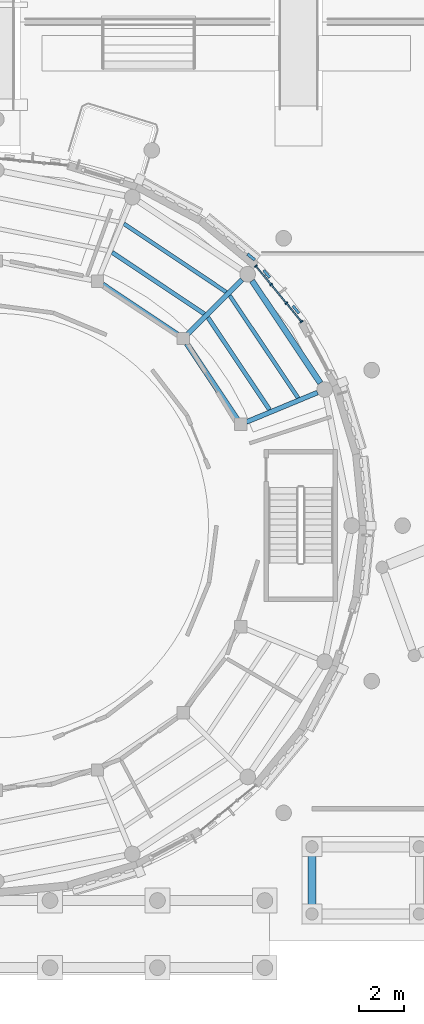
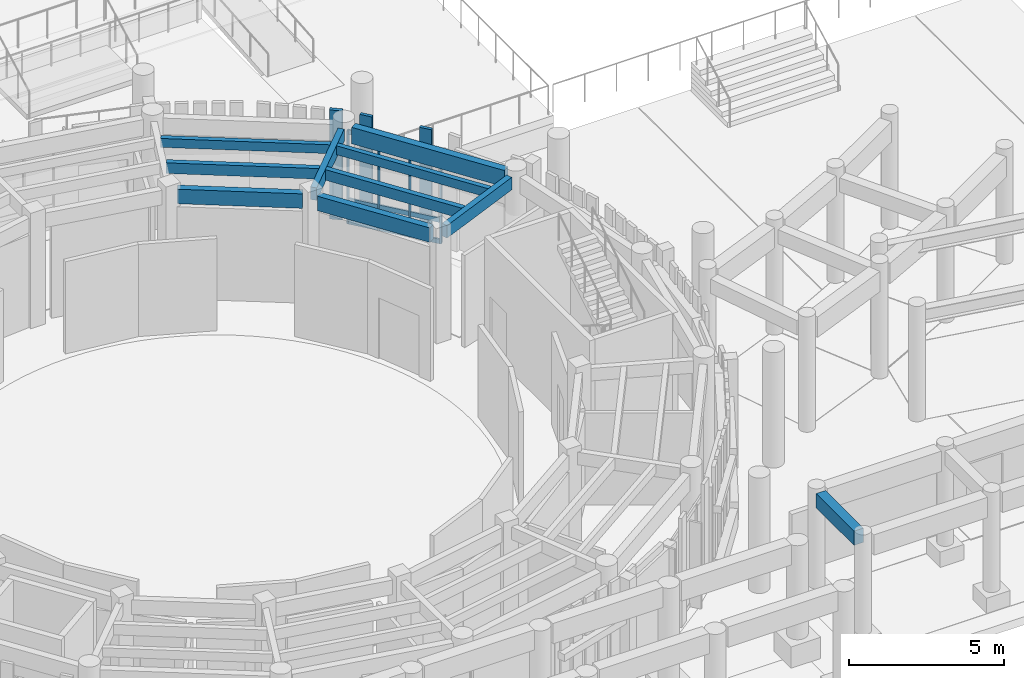
# One storey, part 16 of 94: 10 beams, 10 members, 1 element without a shape of its own.
"""IFC4 building model written with IfcOpenShell, lengths in metres."""

from ifc_helpers import new_model, si_unit, direction, frame, origin, origin_2d, place, context, subcontext, project, spatial, rectangle, extrude, material, layer, layer_set, material_profile, profile_set, type_object, element, aggregate, save


model = new_model("IFC4")

# Units and contexts
model_context = context("Model", 3, precision=1e-05, world=origin(), true_north=direction((0.0, 1.0)))
body_context = subcontext(model_context, "Body", "Model", "MODEL_VIEW")
ifc_project = project(units=[si_unit("LENGTHUNIT", "METRE"), si_unit("AREAUNIT", "SQUARE_METRE"), si_unit("VOLUMEUNIT", "CUBIC_METRE"), si_unit("PLANEANGLEUNIT", "RADIAN"), si_unit("MASSUNIT", "GRAM", prefix="KILO")], contexts=[model_context])

# Site, building, storey
site_placement = place(None, origin())
site = spatial("IfcSite", under=ifc_project, at=site_placement, CompositionType="ELEMENT")
building_placement = place(site_placement, origin())
building = spatial("IfcBuilding", under=site, at=building_placement, Name="Aldenvaro Health Centre", CompositionType="ELEMENT")
storey_placement = place(building_placement, origin())
storey = spatial("IfcBuildingStorey", under=building, at=storey_placement, Name="L00", CompositionType="ELEMENT", Elevation=0.0)

# Beams
ifc_material_1 = material(Name="Glulam GL28h", Category="wood")
ifc_material_profile_1 = material_profile(ifc_material_1, rectangle(XDim=0.175048828125, YDim=0.35009765625, at=origin_2d()), Name="GL 175x350", Category="wood")
ifc_profile_set_1 = profile_set([ifc_material_profile_1], Name="Glulam GL28h")
beam_type_1 = type_object("IfcBeamType", Name="BM-GL-350", PredefinedType="JOIST", material=ifc_profile_set_1)
for number, where, z_axis, x_axis, name in (
    (1, (100.486083984375, 25.699951171875, 4.1298828125), (-0.555579863932, 0.831463177052, 0.0), (-0.831463177052, -0.555579863932, 0.0), "D1 L00 secondary joist 01.2"),
    (2, (97.278076171875, 30.427001953125, 4.1298828125), (-0.831463177052, 0.555579863932, 0.0), (-0.555579863932, -0.831463177052, 0.0), "D1 L00 secondary joist 02.2"),
):
    element("IfcBeam", number, at=place(storey_placement, frame(where, z_axis=z_axis, x_axis=x_axis)), inside=storey, type_object=beam_type_1, Name=name, PredefinedType="JOIST", context=body_context, shape_type="SweptSolid", body=[
        extrude(rectangle(XDim=0.175048828125, YDim=0.35009765625, at=origin_2d()), origin(), (0.0, 0.0, 1.0), 5.506103515625),
    ])
ifc_material_profile_2 = material_profile(ifc_material_1, rectangle(XDim=0.18994140625, YDim=0.41796875, at=origin_2d()), Name="GL 190x418", Category="wood")
ifc_profile_set_2 = profile_set([ifc_material_profile_2], Name="Glulam GL28h")
beam_type_2 = type_object("IfcBeamType", Name="BM-GL-418", PredefinedType="JOIST", material=ifc_profile_set_2)
for number, where, z_axis, x_axis, name in (
    (3, (99.2109375, 25.172119140625, 4.095947265625), (-0.555641253567, 0.831422153502, 0.0), (-0.831422153502, -0.555641253567, 0.0), "D1 L00 secondary joist 01.1"),
    (4, (96.302001953125, 29.450927734375, 4.095947265625), (-0.831422153502, 0.555641253567, 0.0), (-0.555641253567, -0.831422153502, 0.0), "D1 L00 secondary joist 02.1"),
):
    element("IfcBeam", number, at=place(storey_placement, frame(where, z_axis=z_axis, x_axis=x_axis)), inside=storey, type_object=beam_type_2, Name=name, PredefinedType="JOIST", context=body_context, shape_type="SweptSolid", body=[
        extrude(rectangle(XDim=0.18994140625, YDim=0.41796875, at=origin_2d()), origin(), (0.0, 0.0, 1.0), 4.96728515625),
    ])
ifc_material_profile_3 = material_profile(ifc_material_1, rectangle(XDim=0.215087890625, YDim=0.493896484375, at=origin_2d()), Name="GL 215x494", Category="wood")
ifc_profile_set_3 = profile_set([ifc_material_profile_3], Name="Glulam GL28h")
beam_type_3 = type_object("IfcBeamType", Name="BM-GL-494", PredefinedType="BEAM", material=ifc_profile_set_3)
beam_1_placement = place(storey_placement, frame((98.174072265625, 24.6279296875, 4.05810546875), z_axis=(0.923823653162, 0.382818309199, 0.0), x_axis=(-0.382818309199, 0.923823653162, 0.0)))
element("IfcBeam", 5, at=beam_1_placement, inside=storey, type_object=beam_type_3, Name="D1 L00 radial beam 01", PredefinedType="BEAM", context=body_context, shape_type="SweptSolid", body=[
    extrude(rectangle(XDim=0.215087890625, YDim=0.493896484375, at=origin_2d()), origin(), (0.0, 0.0, 1.0), 3.435546875),
])
beam_2_placement = place(storey_placement, frame((95.552001953125, 28.552001953125, 4.05810546875), z_axis=(0.707106781187, 0.707106781187, 0.0), x_axis=(-0.707106781187, 0.707106781187, 0.0)))
element("IfcBeam", 6, at=beam_2_placement, inside=storey, type_object=beam_type_3, Name="D1 L00 radial beam 02", PredefinedType="BEAM", context=body_context, shape_type="SweptSolid", body=[
    extrude(rectangle(XDim=0.215087890625, YDim=0.493896484375, at=origin_2d()), origin(), (0.0, 0.0, 1.0), 3.4365234375),
])
ifc_material_profile_4 = material_profile(ifc_material_1, rectangle(XDim=0.239990234375, YDim=0.570068359375, at=origin_2d()), Name="GL 240x570", Category="wood")
ifc_profile_set_4 = profile_set([ifc_material_profile_4], Name="Glulam GL28h")
beam_type_4 = type_object("IfcBeamType", Name="BM-GL-570", PredefinedType="BEAM", material=ifc_profile_set_4)
for number, where, z_axis, x_axis, name in (
    (7, (97.76708984375, 24.751953125, 4.02001953125), (-0.55551841035, 0.831504236767, 0.0), (-0.831504236767, -0.55551841035, 0.0), "D1 L00 inner ring beam 01"),
    (8, (95.12890625, 28.510986328125, 4.02001953125), (-0.831504236767, 0.55551841035, 0.0), (-0.55551841035, -0.831504236767, 0.0), "D1 L00 inner ring beam 02"),
):
    element("IfcBeam", number, at=place(storey_placement, frame(where, z_axis=z_axis, x_axis=x_axis)), inside=storey, type_object=beam_type_4, Name=name, PredefinedType="BEAM", context=body_context, shape_type="SweptSolid", body=[
        extrude(rectangle(XDim=0.239990234375, YDim=0.570068359375, at=origin_2d()), origin(), (0.0, 0.0, 1.0), 4.061279296875),
    ])
ifc_material_profile_5 = material_profile(ifc_material_1, rectangle(XDim=0.264892578125, YDim=0.64599609375, at=origin_2d()), Name="GL 265x646", Category="wood")
ifc_profile_set_5 = profile_set([ifc_material_profile_5], Name="Glulam GL28h")
beam_type_5 = type_object("IfcBeamType", Name="BM-GL-646", PredefinedType="SPANDREL", material=ifc_profile_set_5)
beam_3_placement = place(storey_placement, frame((101.47705078125, 26.367919921875, 3.98193359375), z_axis=(-0.555612119454, 0.831441623156, 0.0), x_axis=(-0.831441623156, -0.555612119454, 0.0)))
element("IfcBeam", 9, at=beam_3_placement, inside=storey, type_object=beam_type_5, Name="D1 L00 perimeter spandrel 02", PredefinedType="SPANDREL", context=body_context, shape_type="SweptSolid", body=[
    extrude(rectangle(XDim=0.264892578125, YDim=0.64599609375, at=origin_2d()), origin(), (0.0, 0.0, 1.0), 5.49658203125),
])
ifc_material_2 = material(Name="Concrete f'c 40 MPa", Category="concrete")
ifc_material_profile_6 = material_profile(ifc_material_2, rectangle(XDim=0.35009765625, YDim=0.56005859375, at=origin_2d()), Name="RC 350x560", Category="concrete")
ifc_profile_set_6 = profile_set([ifc_material_profile_6], Name="Concrete f'c 40 MPa")
beam_type_6 = type_object("IfcBeamType", Name="BM-RC-560E", PredefinedType="JOIST", material=ifc_profile_set_6)
beam_4_placement = place(storey_placement, frame((101.10009765625, 2.925048828125, 4.1201171875), z_axis=(0.0, 1.0, 0.0), x_axis=(-1.0, 0.0, 0.0)))
element("IfcBeam", 10, at=beam_4_placement, inside=storey, type_object=beam_type_6, Name="South Stoa E Transverse Beam L00-1", PredefinedType="JOIST", context=body_context, shape_type="SweptSolid", body=[
    extrude(rectangle(XDim=0.35009765625, YDim=0.56005859375, at=origin_2d()), origin(), (0.0, 0.0, 1.0), 2.449951171875),
])

# Curtain wall, members
ifc_material_3 = material(Name="Anodised Aluminium 6063-T6", Category="aluminium")
ifc_layer = layer(ifc_material_3, 0.179931640625, Name="Anodised Aluminium 6063-T6", Category="aluminium")
ifc_layer_set = layer_set([ifc_layer], Name="Anodised Aluminium 6063-T6")
curtain_wall_type = type_object("IfcCurtainWallType", Name="CW-ROT-01", PredefinedType="NOTDEFINED", material=ifc_layer_set)
curtain_wall_placement = place(storey_placement, origin())
curtain_wall = element("IfcCurtainWall", 11, at=curtain_wall_placement, inside=storey, type_object=curtain_wall_type, Name="D1 L00 curtain wall bay 29", PredefinedType="NOTDEFINED")
ifc_material_profile_7 = material_profile(ifc_material_3, rectangle(XDim=0.06005859375, YDim=0.135009765625, at=origin_2d()), Name="ALU 60x135", Category="aluminium")
ifc_profile_set_7 = profile_set([ifc_material_profile_7], Name="Anodised Aluminium 6063-T6")
member_type_1 = type_object("IfcMemberType", Name="CWM-150", PredefinedType="MULLION", material=ifc_profile_set_7)
member_1_placement = place(storey_placement, frame((98.596923828125, 31.596923828125, 0.0), z_axis=(0.0, 0.0, 1.0), x_axis=(0.634168850528, -0.773194586776, 0.0)))
member_1 = element("IfcMember", 12, at=member_1_placement, type_object=member_type_1, Name="D1 L00 curtain wall bay 29 mullion 1", PredefinedType="MULLION", context=body_context, shape_type="SweptSolid", body=[
    extrude(rectangle(XDim=0.06005859375, YDim=0.135009765625, at=origin_2d()), origin(), (0.0, 0.0, 1.0), 3.658935546875),
])
member_2_placement = place(storey_placement, frame((99.277099609375, 30.76806640625, 0.0), z_axis=(0.0, 0.0, 1.0), x_axis=(0.634168850528, -0.773194586776, 0.0)))
member_2 = element("IfcMember", 13, at=member_2_placement, type_object=member_type_1, Name="D1 L00 curtain wall bay 29 mullion 2", PredefinedType="MULLION", context=body_context, shape_type="SweptSolid", body=[
    extrude(rectangle(XDim=0.06005859375, YDim=0.135009765625, at=origin_2d()), origin(), (0.0, 0.0, 1.0), 3.658935546875),
])
member_3_placement = place(storey_placement, frame((99.9560546875, 29.93994140625, 0.0), z_axis=(0.0, 0.0, 1.0), x_axis=(0.634168850528, -0.773194586776, 0.0)))
member_3 = element("IfcMember", 14, at=member_3_placement, type_object=member_type_1, Name="D1 L00 curtain wall bay 29 mullion 3", PredefinedType="MULLION", context=body_context, shape_type="SweptSolid", body=[
    extrude(rectangle(XDim=0.06005859375, YDim=0.135009765625, at=origin_2d()), origin(), (0.0, 0.0, 1.0), 3.658935546875),
])
member_4_placement = place(storey_placement, frame((100.635986328125, 29.111083984375, 0.0), z_axis=(0.0, 0.0, 1.0), x_axis=(0.634168850528, -0.773194586776, 0.0)))
member_4 = element("IfcMember", 15, at=member_4_placement, type_object=member_type_1, Name="D1 L00 curtain wall bay 29 mullion 4", PredefinedType="MULLION", context=body_context, shape_type="SweptSolid", body=[
    extrude(rectangle(XDim=0.06005859375, YDim=0.135009765625, at=origin_2d()), origin(), (0.0, 0.0, 1.0), 3.658935546875),
])
ifc_material_profile_8 = material_profile(ifc_material_3, rectangle(XDim=0.06494140625, YDim=0.179931640625, at=origin_2d()), Name="ALU 65x180", Category="aluminium")
ifc_profile_set_8 = profile_set([ifc_material_profile_8], Name="Anodised Aluminium 6063-T6")
member_type_2 = type_object("IfcMemberType", Name="CWT-150", PredefinedType="USERDEFINED", material=ifc_profile_set_8)
member_5_placement = place(storey_placement, frame((98.596923828125, 31.596923828125, 0.06005859375), z_axis=(0.634204896314, -0.773165020866, 0.0), x_axis=(0.773165020866, 0.634204896314, 0.0)))
member_5 = element("IfcMember", 16, at=member_5_placement, type_object=member_type_2, Name="D1 L00 curtain wall bay 29 transom 1", ObjectType="TRANSOM", PredefinedType="USERDEFINED", context=body_context, shape_type="SweptSolid", body=[
    extrude(rectangle(XDim=0.06494140625, YDim=0.179931640625, at=origin_2d()), origin(), (0.0, 0.0, 1.0), 3.215087890625),
])
member_6_placement = place(storey_placement, frame((98.596923828125, 31.596923828125, 0.89990234375), z_axis=(0.634204896314, -0.773165020866, 0.0), x_axis=(0.773165020866, 0.634204896314, 0.0)))
member_6 = element("IfcMember", 17, at=member_6_placement, type_object=member_type_2, Name="D1 L00 curtain wall bay 29 transom 2", ObjectType="TRANSOM", PredefinedType="USERDEFINED", context=body_context, shape_type="SweptSolid", body=[
    extrude(rectangle(XDim=0.06494140625, YDim=0.179931640625, at=origin_2d()), origin(), (0.0, 0.0, 1.0), 3.215087890625),
])
member_7_placement = place(storey_placement, frame((98.596923828125, 31.596923828125, 3.59912109375), z_axis=(0.634204896314, -0.773165020866, 0.0), x_axis=(0.773165020866, 0.634204896314, 0.0)))
member_7 = element("IfcMember", 18, at=member_7_placement, type_object=member_type_2, Name="D1 L00 curtain wall bay 29 transom 3", ObjectType="TRANSOM", PredefinedType="USERDEFINED", context=body_context, shape_type="SweptSolid", body=[
    extrude(rectangle(XDim=0.06494140625, YDim=0.179931640625, at=origin_2d()), origin(), (0.0, 0.0, 1.0), 3.215087890625),
])
aggregate(curtain_wall, [member_1, member_2, member_3, member_4, member_5, member_6, member_7])

# Members
ifc_material_profile_9 = material_profile(ifc_material_1, rectangle(XDim=0.114990234375, YDim=0.419921875, at=origin_2d()), Name="GL 115x420", Category="wood")
ifc_profile_set_9 = profile_set([ifc_material_profile_9], Name="Glulam GL28h")
member_type_3 = type_object("IfcMemberType", Name="MEM-SLT-420A", PredefinedType="POST", material=ifc_profile_set_9)
for number, where, z_axis, x_axis, name in (
    (19, (99.080078125, 31.2451171875, 0.0), (0.0, 0.0, 1.0), (0.773194586776, 0.634168850528, 0.0), "D1 L00 curtain mullion timber slat 29"),
    (20, (100.385009765625, 29.654052734375, 0.0), (0.0, 0.0, 1.0), (0.773194586776, 0.634168850528, 0.0), "D1 L00 curtain mullion timber slat 29"),
):
    element("IfcMember", number, at=place(storey_placement, frame(where, z_axis=z_axis, x_axis=x_axis)), inside=storey, type_object=member_type_3, Name=name, PredefinedType="POST", context=body_context, shape_type="SweptSolid", body=[
        extrude(rectangle(XDim=0.114990234375, YDim=0.419921875, at=origin_2d()), origin(), (0.0, 0.0, 1.0), 4.304931640625),
    ])
ifc_material_profile_10 = material_profile(ifc_material_1, rectangle(XDim=0.1298828125, YDim=0.419921875, at=origin_2d()), Name="GL 130x420", Category="wood")
ifc_profile_set_10 = profile_set([ifc_material_profile_10], Name="Glulam GL28h")
member_type_4 = type_object("IfcMemberType", Name="MEM-SLT-420B", PredefinedType="POST", material=ifc_profile_set_10)
member_8_placement = place(storey_placement, frame((98.383056640625, 31.9990234375, 0.0), z_axis=(0.0, 0.0, 1.0), x_axis=(0.634168850528, 0.773194586776, 0.0)))
element("IfcMember", 21, at=member_8_placement, inside=storey, type_object=member_type_4, Name="D1 L00 vertical timber slat 28.5", PredefinedType="POST", context=body_context, shape_type="SweptSolid", body=[
    extrude(rectangle(XDim=0.1298828125, YDim=0.419921875, at=origin_2d()), origin(), (0.0, 0.0, 1.0), 4.304931640625),
])

save(model, "model.ifc")
